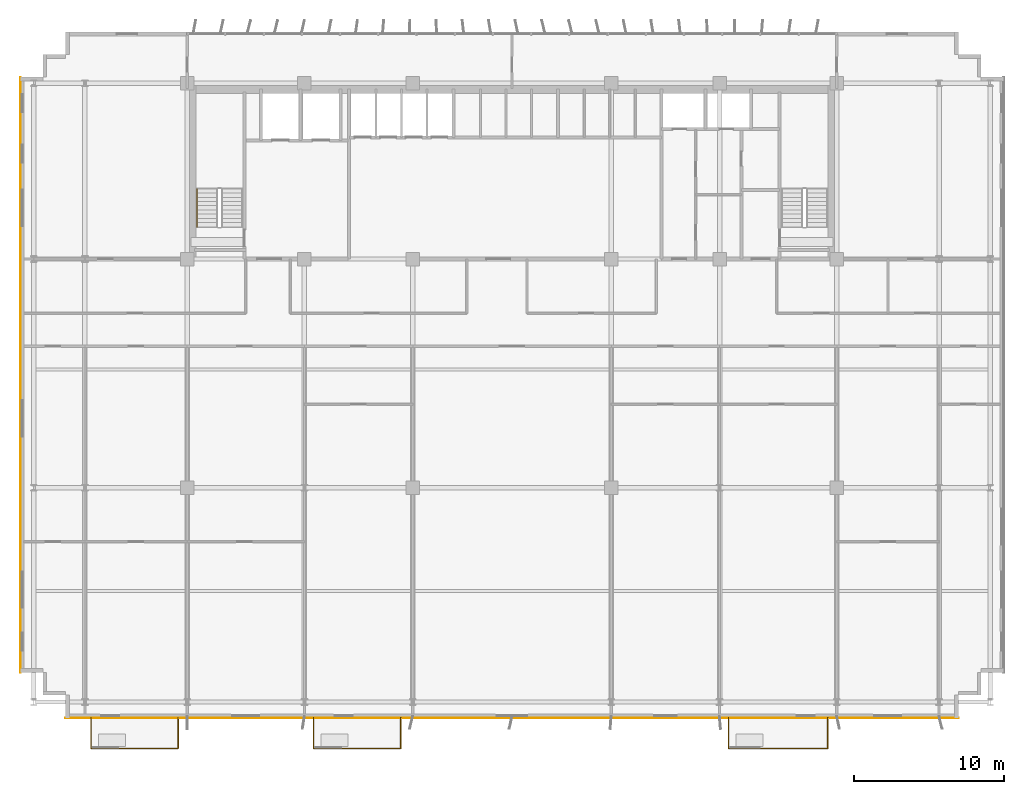
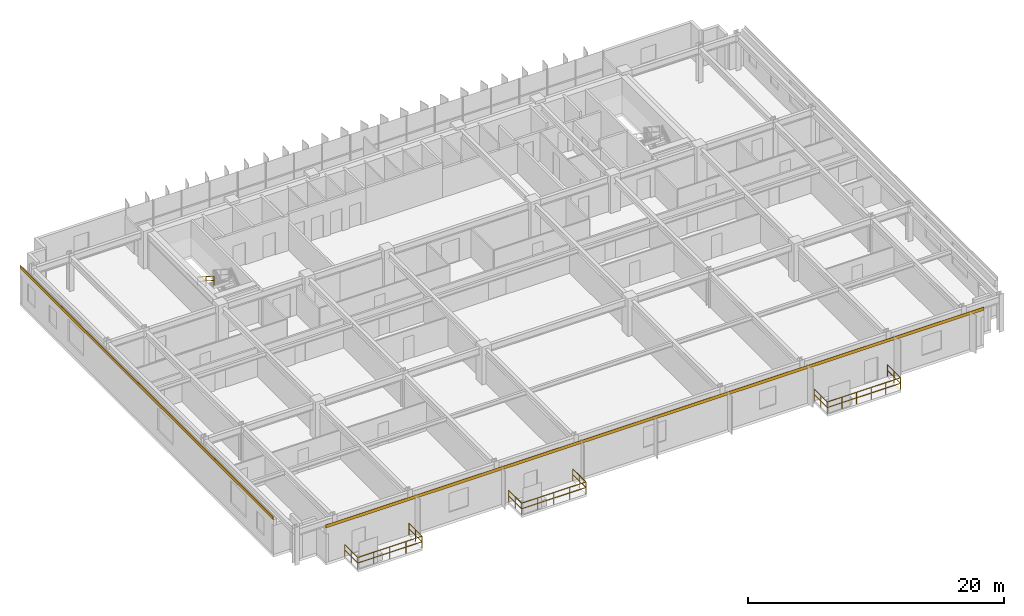
# One storey, part 19 of 21: 10 railings, 2 coverings.
"""IFC4 building model written with IfcOpenShell, lengths in metres."""

from ifc_helpers import new_model, si_unit, direction, frame, origin, origin_2d, place, context, subcontext, project, spatial, rectangle, extrude, source, transform, mapped, material, layer, layer_set, type_object, element, save


model = new_model("IFC4")

# Units and contexts
model_context = context("Model", 3, precision=1e-05, world=origin(), true_north=direction((0.0, 1.0)))
body_context = subcontext(model_context, "Body", "Model", "MODEL_VIEW")
ifc_project = project(units=[si_unit("LENGTHUNIT", "METRE"), si_unit("AREAUNIT", "SQUARE_METRE"), si_unit("VOLUMEUNIT", "CUBIC_METRE"), si_unit("PLANEANGLEUNIT", "RADIAN"), si_unit("MASSUNIT", "GRAM", prefix="KILO")], contexts=[model_context])

# Site, building, storey
site_placement = place(None, origin())
site = spatial("IfcSite", under=ifc_project, at=site_placement, CompositionType="ELEMENT")
building_placement = place(site_placement, origin())
building = spatial("IfcBuilding", under=site, at=building_placement, Name="Trelvane Seafront Commons", CompositionType="ELEMENT")
storey_placement = place(building_placement, frame((0.0, 0.0, 37.89990234375)))
storey = spatial("IfcBuildingStorey", under=building, at=storey_placement, Name="L09", CompositionType="ELEMENT", Elevation=37.89990234375)

# Railings
ifc_material_1 = material(Name="Stainless steel balustrade", Category="steel")
railing_type_1 = type_object("IfcRailingType", Name="ARCH-RAIL-BAL1150", PredefinedType="BALUSTRADE", material=ifc_material_1)
railing_1_placement = place(storey_placement, frame((9.199951171875, 2.89990234375, 0.0)))
element("IfcRailing", 1, at=railing_1_placement, inside=storey, type_object=railing_type_1, Name="RL-L09-BAL0-01", PredefinedType="BALUSTRADE", context=body_context, shape_type="SweptSolid", body=[
    extrude(rectangle(XDim=0.048095703125, YDim=0.048095703125, at=origin_2d()), frame((0.0, 0.0, 1.1259765625), z_axis=(0.0, -1.0, 0.0), x_axis=(1.0, 0.0, 0.0)), (0.0, 0.0, 1.0), 2.039794921875),
    extrude(rectangle(XDim=0.048095703125, YDim=0.048095703125, at=origin_2d()), frame((0.0, 0.0, 0.597900390625), z_axis=(0.0, -1.0, 0.0), x_axis=(1.0, 0.0, 0.0)), (0.0, 0.0, 1.0), 2.039794921875),
    extrude(rectangle(XDim=0.0419921875, YDim=0.0419921875, at=origin_2d()), origin(), (0.0, 0.0, 1.0), 1.1259765625),
    extrude(rectangle(XDim=0.0419921875, YDim=0.0419921875, at=origin_2d()), frame((0.0, -1.02001953125, 0.0)), (0.0, 0.0, 1.0), 1.1259765625),
    extrude(rectangle(XDim=0.0419921875, YDim=0.0419921875, at=origin_2d()), frame((0.0, -2.039794921875, 0.0)), (0.0, 0.0, 1.0), 1.1259765625),
])
railing_2_placement = place(storey_placement, frame((9.199951171875, 0.860107421875, 0.0)))
element("IfcRailing", 2, at=railing_2_placement, inside=storey, type_object=railing_type_1, Name="RL-L09-BAL0-02", PredefinedType="BALUSTRADE", context=body_context, shape_type="SweptSolid", body=[
    extrude(rectangle(XDim=0.048095703125, YDim=0.048095703125, at=origin_2d()), frame((0.0, 0.0, 1.1259765625), z_axis=(1.0, 0.0, 0.0), x_axis=(0.0, 1.0, 0.0)), (0.0, 0.0, 1.0), 5.800048828125),
    extrude(rectangle(XDim=0.048095703125, YDim=0.048095703125, at=origin_2d()), frame((0.0, 0.0, 0.597900390625), z_axis=(1.0, 0.0, 0.0), x_axis=(0.0, 1.0, 0.0)), (0.0, 0.0, 1.0), 5.800048828125),
    extrude(rectangle(XDim=0.0419921875, YDim=0.0419921875, at=origin_2d()), origin(), (0.0, 0.0, 1.0), 1.1259765625),
    extrude(rectangle(XDim=0.0419921875, YDim=0.0419921875, at=origin_2d()), frame((1.449951171875, 0.0, 0.0)), (0.0, 0.0, 1.0), 1.1259765625),
    extrude(rectangle(XDim=0.0419921875, YDim=0.0419921875, at=origin_2d()), frame((2.89990234375, 0.0, 0.0)), (0.0, 0.0, 1.0), 1.1259765625),
    extrude(rectangle(XDim=0.0419921875, YDim=0.0419921875, at=origin_2d()), frame((4.35009765625, 0.0, 0.0)), (0.0, 0.0, 1.0), 1.1259765625),
    extrude(rectangle(XDim=0.0419921875, YDim=0.0419921875, at=origin_2d()), frame((5.800048828125, 0.0, 0.0)), (0.0, 0.0, 1.0), 1.1259765625),
])
railing_3_placement = place(storey_placement, frame((15.0, 0.860107421875, 0.0)))
element("IfcRailing", 3, at=railing_3_placement, inside=storey, type_object=railing_type_1, Name="RL-L09-BAL0-03", PredefinedType="BALUSTRADE", context=body_context, shape_type="SweptSolid", body=[
    extrude(rectangle(XDim=0.048095703125, YDim=0.048095703125, at=origin_2d()), frame((0.0, 0.0, 1.1259765625), z_axis=(0.0, 1.0, 0.0), x_axis=(-1.0, 0.0, 0.0)), (0.0, 0.0, 1.0), 2.039794921875),
    extrude(rectangle(XDim=0.048095703125, YDim=0.048095703125, at=origin_2d()), frame((0.0, 0.0, 0.597900390625), z_axis=(0.0, 1.0, 0.0), x_axis=(-1.0, 0.0, 0.0)), (0.0, 0.0, 1.0), 2.039794921875),
    extrude(rectangle(XDim=0.0419921875, YDim=0.0419921875, at=origin_2d()), origin(), (0.0, 0.0, 1.0), 1.1259765625),
    extrude(rectangle(XDim=0.0419921875, YDim=0.0419921875, at=origin_2d()), frame((0.0, 1.02001953125, 0.0)), (0.0, 0.0, 1.0), 1.1259765625),
    extrude(rectangle(XDim=0.0419921875, YDim=0.0419921875, at=origin_2d()), frame((0.0, 2.039794921875, 0.0)), (0.0, 0.0, 1.0), 1.1259765625),
])
railing_4_placement = place(storey_placement, frame((24.0, 2.89990234375, 0.0)))
element("IfcRailing", 4, at=railing_4_placement, inside=storey, type_object=railing_type_1, Name="RL-L09-BAL1-01", PredefinedType="BALUSTRADE", context=body_context, shape_type="SweptSolid", body=[
    extrude(rectangle(XDim=0.048095703125, YDim=0.048095703125, at=origin_2d()), frame((0.0, 0.0, 1.1259765625), z_axis=(0.0, -1.0, 0.0), x_axis=(1.0, 0.0, 0.0)), (0.0, 0.0, 1.0), 2.039794921875),
    extrude(rectangle(XDim=0.048095703125, YDim=0.048095703125, at=origin_2d()), frame((0.0, 0.0, 0.597900390625), z_axis=(0.0, -1.0, 0.0), x_axis=(1.0, 0.0, 0.0)), (0.0, 0.0, 1.0), 2.039794921875),
    extrude(rectangle(XDim=0.0419921875, YDim=0.0419921875, at=origin_2d()), origin(), (0.0, 0.0, 1.0), 1.1259765625),
    extrude(rectangle(XDim=0.0419921875, YDim=0.0419921875, at=origin_2d()), frame((0.0, -1.02001953125, 0.0)), (0.0, 0.0, 1.0), 1.1259765625),
    extrude(rectangle(XDim=0.0419921875, YDim=0.0419921875, at=origin_2d()), frame((0.0, -2.039794921875, 0.0)), (0.0, 0.0, 1.0), 1.1259765625),
])
railing_5_placement = place(storey_placement, frame((24.0, 0.860107421875, 0.0)))
element("IfcRailing", 5, at=railing_5_placement, inside=storey, type_object=railing_type_1, Name="RL-L09-BAL1-02", PredefinedType="BALUSTRADE", context=body_context, shape_type="SweptSolid", body=[
    extrude(rectangle(XDim=0.048095703125, YDim=0.048095703125, at=origin_2d()), frame((0.0, 0.0, 1.1259765625), z_axis=(1.0, 0.0, 0.0), x_axis=(0.0, 1.0, 0.0)), (0.0, 0.0, 1.0), 5.800048828125),
    extrude(rectangle(XDim=0.048095703125, YDim=0.048095703125, at=origin_2d()), frame((0.0, 0.0, 0.597900390625), z_axis=(1.0, 0.0, 0.0), x_axis=(0.0, 1.0, 0.0)), (0.0, 0.0, 1.0), 5.800048828125),
    extrude(rectangle(XDim=0.0419921875, YDim=0.0419921875, at=origin_2d()), origin(), (0.0, 0.0, 1.0), 1.1259765625),
    extrude(rectangle(XDim=0.0419921875, YDim=0.0419921875, at=origin_2d()), frame((1.449951171875, 0.0, 0.0)), (0.0, 0.0, 1.0), 1.1259765625),
    extrude(rectangle(XDim=0.0419921875, YDim=0.0419921875, at=origin_2d()), frame((2.89990234375, 0.0, 0.0)), (0.0, 0.0, 1.0), 1.1259765625),
    extrude(rectangle(XDim=0.0419921875, YDim=0.0419921875, at=origin_2d()), frame((4.35009765625, 0.0, 0.0)), (0.0, 0.0, 1.0), 1.1259765625),
    extrude(rectangle(XDim=0.0419921875, YDim=0.0419921875, at=origin_2d()), frame((5.800048828125, 0.0, 0.0)), (0.0, 0.0, 1.0), 1.1259765625),
])
railing_6_placement = place(storey_placement, frame((29.800048828125, 0.860107421875, 0.0)))
element("IfcRailing", 6, at=railing_6_placement, inside=storey, type_object=railing_type_1, Name="RL-L09-BAL1-03", PredefinedType="BALUSTRADE", context=body_context, shape_type="SweptSolid", body=[
    extrude(rectangle(XDim=0.048095703125, YDim=0.048095703125, at=origin_2d()), frame((0.0, 0.0, 1.1259765625), z_axis=(0.0, 1.0, 0.0), x_axis=(-1.0, 0.0, 0.0)), (0.0, 0.0, 1.0), 2.039794921875),
    extrude(rectangle(XDim=0.048095703125, YDim=0.048095703125, at=origin_2d()), frame((0.0, 0.0, 0.597900390625), z_axis=(0.0, 1.0, 0.0), x_axis=(-1.0, 0.0, 0.0)), (0.0, 0.0, 1.0), 2.039794921875),
    extrude(rectangle(XDim=0.0419921875, YDim=0.0419921875, at=origin_2d()), origin(), (0.0, 0.0, 1.0), 1.1259765625),
    extrude(rectangle(XDim=0.0419921875, YDim=0.0419921875, at=origin_2d()), frame((0.0, 1.02001953125, 0.0)), (0.0, 0.0, 1.0), 1.1259765625),
    extrude(rectangle(XDim=0.0419921875, YDim=0.0419921875, at=origin_2d()), frame((0.0, 2.039794921875, 0.0)), (0.0, 0.0, 1.0), 1.1259765625),
])
railing_7_placement = place(storey_placement, frame((51.60009765625, 2.89990234375, 0.0)))
element("IfcRailing", 7, at=railing_7_placement, inside=storey, type_object=railing_type_1, Name="RL-L09-BAL2-01", PredefinedType="BALUSTRADE", context=body_context, shape_type="SweptSolid", body=[
    extrude(rectangle(XDim=0.048095703125, YDim=0.048095703125, at=origin_2d()), frame((0.0, 0.0, 1.1259765625), z_axis=(0.0, -1.0, 0.0), x_axis=(1.0, 0.0, 0.0)), (0.0, 0.0, 1.0), 2.039794921875),
    extrude(rectangle(XDim=0.048095703125, YDim=0.048095703125, at=origin_2d()), frame((0.0, 0.0, 0.597900390625), z_axis=(0.0, -1.0, 0.0), x_axis=(1.0, 0.0, 0.0)), (0.0, 0.0, 1.0), 2.039794921875),
    extrude(rectangle(XDim=0.0419921875, YDim=0.0419921875, at=origin_2d()), origin(), (0.0, 0.0, 1.0), 1.1259765625),
    extrude(rectangle(XDim=0.0419921875, YDim=0.0419921875, at=origin_2d()), frame((0.0, -1.02001953125, 0.0)), (0.0, 0.0, 1.0), 1.1259765625),
    extrude(rectangle(XDim=0.0419921875, YDim=0.0419921875, at=origin_2d()), frame((0.0, -2.039794921875, 0.0)), (0.0, 0.0, 1.0), 1.1259765625),
])
railing_8_placement = place(storey_placement, frame((51.60009765625, 0.860107421875, 0.0)))
element("IfcRailing", 8, at=railing_8_placement, inside=storey, type_object=railing_type_1, Name="RL-L09-BAL2-02", PredefinedType="BALUSTRADE", context=body_context, shape_type="SweptSolid", body=[
    extrude(rectangle(XDim=0.048095703125, YDim=0.048095703125, at=origin_2d()), frame((0.0, 0.0, 1.1259765625), z_axis=(1.0, 0.0, 0.0), x_axis=(0.0, 1.0, 0.0)), (0.0, 0.0, 1.0), 6.599853515625),
    extrude(rectangle(XDim=0.048095703125, YDim=0.048095703125, at=origin_2d()), frame((0.0, 0.0, 0.597900390625), z_axis=(1.0, 0.0, 0.0), x_axis=(0.0, 1.0, 0.0)), (0.0, 0.0, 1.0), 6.599853515625),
    extrude(rectangle(XDim=0.0419921875, YDim=0.0419921875, at=origin_2d()), origin(), (0.0, 0.0, 1.0), 1.1259765625),
    extrude(rectangle(XDim=0.0419921875, YDim=0.0419921875, at=origin_2d()), frame((1.320068359375, 0.0, 0.0)), (0.0, 0.0, 1.0), 1.1259765625),
    extrude(rectangle(XDim=0.0419921875, YDim=0.0419921875, at=origin_2d()), frame((2.639892578125, 0.0, 0.0)), (0.0, 0.0, 1.0), 1.1259765625),
    extrude(rectangle(XDim=0.0419921875, YDim=0.0419921875, at=origin_2d()), frame((3.9599609375, 0.0, 0.0)), (0.0, 0.0, 1.0), 1.1259765625),
    extrude(rectangle(XDim=0.0419921875, YDim=0.0419921875, at=origin_2d()), frame((5.27978515625, 0.0, 0.0)), (0.0, 0.0, 1.0), 1.1259765625),
    extrude(rectangle(XDim=0.0419921875, YDim=0.0419921875, at=origin_2d()), frame((6.599853515625, 0.0, 0.0)), (0.0, 0.0, 1.0), 1.1259765625),
])
railing_9_placement = place(storey_placement, frame((58.199951171875, 0.860107421875, 0.0)))
element("IfcRailing", 9, at=railing_9_placement, inside=storey, type_object=railing_type_1, Name="RL-L09-BAL2-03", PredefinedType="BALUSTRADE", context=body_context, shape_type="SweptSolid", body=[
    extrude(rectangle(XDim=0.048095703125, YDim=0.048095703125, at=origin_2d()), frame((0.0, 0.0, 1.1259765625), z_axis=(0.0, 1.0, 0.0), x_axis=(-1.0, 0.0, 0.0)), (0.0, 0.0, 1.0), 2.039794921875),
    extrude(rectangle(XDim=0.048095703125, YDim=0.048095703125, at=origin_2d()), frame((0.0, 0.0, 0.597900390625), z_axis=(0.0, 1.0, 0.0), x_axis=(-1.0, 0.0, 0.0)), (0.0, 0.0, 1.0), 2.039794921875),
    extrude(rectangle(XDim=0.0419921875, YDim=0.0419921875, at=origin_2d()), origin(), (0.0, 0.0, 1.0), 1.1259765625),
    extrude(rectangle(XDim=0.0419921875, YDim=0.0419921875, at=origin_2d()), frame((0.0, 1.02001953125, 0.0)), (0.0, 0.0, 1.0), 1.1259765625),
    extrude(rectangle(XDim=0.0419921875, YDim=0.0419921875, at=origin_2d()), frame((0.0, 2.039794921875, 0.0)), (0.0, 0.0, 1.0), 1.1259765625),
])
railing_type_2 = type_object("IfcRailingType", Name="ARCH-SRL-HAND", PredefinedType="HANDRAIL", material=ifc_material_1)
railing_10_placement = place(storey_placement, frame((16.25, 38.070068359375, 1.97998046875)))
element("IfcRailing", 10, at=railing_10_placement, inside=storey, type_object=railing_type_2, Name="L09 ST-1 stair handrail 2", PredefinedType="HANDRAIL", context=body_context, shape_type="SweptSolid", body=[
    extrude(rectangle(XDim=0.048095703125, YDim=0.048095703125, at=origin_2d()), frame((0.0, 0.0, 0.8759765625), z_axis=(0.0, -0.841162588446, 0.540782303519), x_axis=(1.0, 0.0, 0.0)), (0.0, 0.0, 1.0), 2.995849609375),
    extrude(rectangle(XDim=0.048095703125, YDim=0.048095703125, at=origin_2d()), frame((0.0, 0.0, 0.468017578125), z_axis=(0.0, -0.841162588446, 0.540782303519), x_axis=(1.0, 0.0, 0.0)), (0.0, 0.0, 1.0), 2.995849609375),
    extrude(rectangle(XDim=0.0419921875, YDim=0.0419921875, at=origin_2d()), origin(), (0.0, 0.0, 1.0), 0.8759765625),
    extrude(rectangle(XDim=0.0419921875, YDim=0.0419921875, at=origin_2d()), frame((0.0, -1.260009765625, 0.81005859375)), (0.0, 0.0, 1.0), 0.8759765625),
    extrude(rectangle(XDim=0.0419921875, YDim=0.0419921875, at=origin_2d()), frame((0.0, -2.52001953125, 1.6201171875)), (0.0, 0.0, 1.0), 0.8759765625),
])

# Coverings
ifc_material_2 = material(Name="Anodised pale-silver aluminium", Category="aluminium")
ifc_layer = layer(ifc_material_2, 0.034912109375, Name="ARCH-COV-CLAD35")
ifc_layer_set = layer_set([ifc_layer], Name="Anodised pale-silver aluminium")
covering_type = type_object("IfcCoveringType", Name="ARCH-COV-CLAD35", PredefinedType="CLADDING", material=ifc_layer_set)
shared_shape_1 = source(origin(), body_context, "Body", "SweptSolid", [
    extrude(rectangle(XDim=39.60009765625, YDim=0.034912109375, at=origin_2d()), origin(), (0.0, 0.0, 1.0), 0.300048828125),
])
covering_1_placement = place(storey_placement, frame((4.5, 25.699951171875, 3.30029296875), z_axis=(0.0, 0.0, 1.0), x_axis=(0.0, 1.0, 0.0)))
element("IfcCovering", 11, at=covering_1_placement, inside=storey, type_object=covering_type, Name="CLD-L09-00051", PredefinedType="CLADDING", context=body_context, shape_type="MappedRepresentation", body=[
    mapped(shared_shape_1, transform((0.0, 0.0, 0.0), x_axis=(1.0, 0.0, 0.0), y_axis=(0.0, 1.0, 0.0), z_axis=(0.0, 0.0, 1.0), scale=1.0)),
])
shared_shape_2 = source(origin(), body_context, "Body", "SweptSolid", [
    extrude(rectangle(XDim=59.39990234375, YDim=0.034912109375, at=origin_2d()), origin(), (0.0, 0.0, 1.0), 0.300048828125),
])
covering_2_placement = place(storey_placement, frame((37.199951171875, 2.89990234375, 3.30029296875), z_axis=(0.0, 0.0, 1.0), x_axis=(-1.0, 0.0, 0.0)))
element("IfcCovering", 12, at=covering_2_placement, inside=storey, type_object=covering_type, Name="CLD-L09-00053", PredefinedType="CLADDING", context=body_context, shape_type="MappedRepresentation", body=[
    mapped(shared_shape_2, transform((0.0, 0.0, 0.0), x_axis=(1.0, 0.0, 0.0), y_axis=(0.0, 1.0, 0.0), z_axis=(0.0, 0.0, 1.0), scale=1.0)),
])

save(model, "model.ifc")
